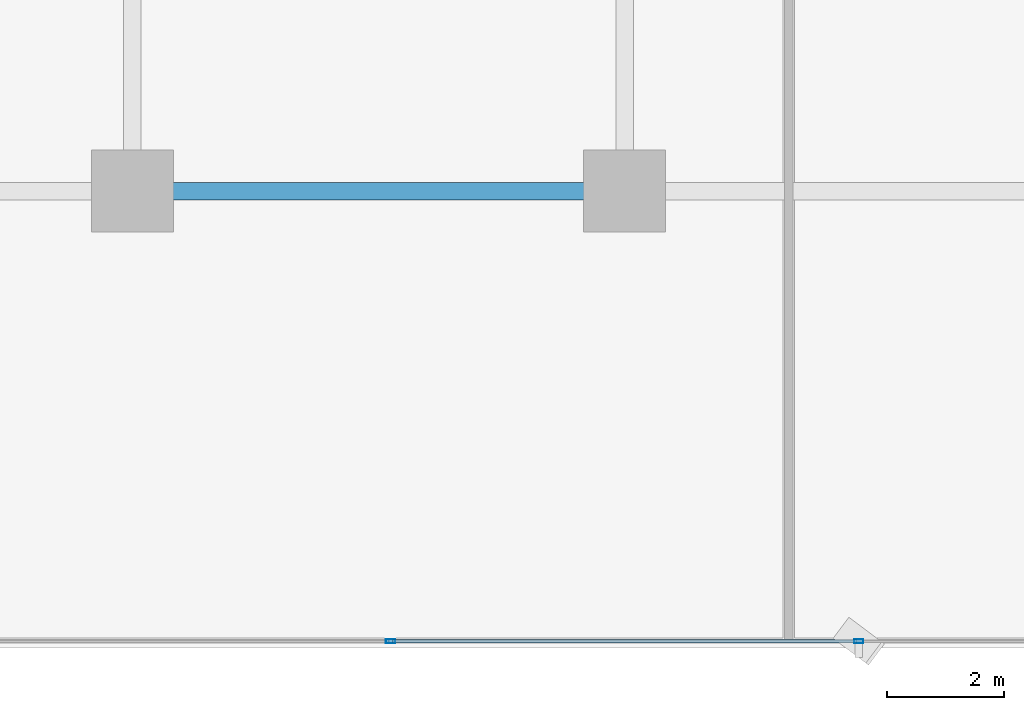
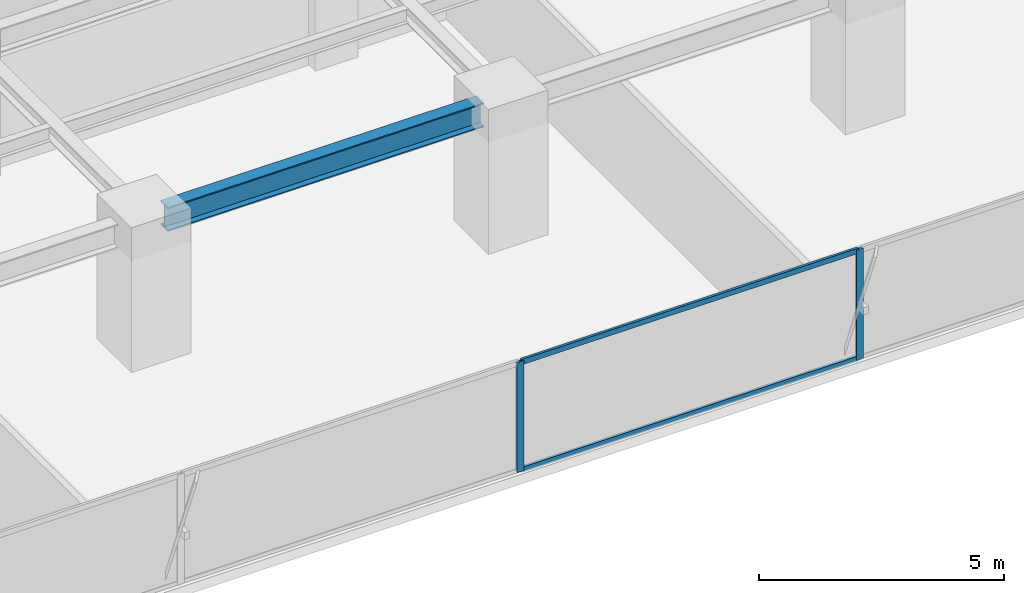
# One storey, part 6 of 34: 4 members, 1 beam, 1 element without a shape of its own.
"""IFC4 building model written with IfcOpenShell, lengths in metres."""

from ifc_helpers import new_model, si_unit, direction, frame, origin, origin_2d, place, context, subcontext, project, spatial, hollow_rectangle, i_section, extrude, source, transform, mapped, material, layer, layer_set, material_profile, profile_set, type_object, element, aggregate, save


model = new_model("IFC4")

# Units and contexts
model_context = context("Model", 3, precision=1e-05, world=origin(), true_north=direction((0.0, 1.0)))
body_context = subcontext(model_context, "Body", "Model", "MODEL_VIEW")
ifc_project = project(units=[si_unit("LENGTHUNIT", "METRE"), si_unit("AREAUNIT", "SQUARE_METRE"), si_unit("VOLUMEUNIT", "CUBIC_METRE"), si_unit("PLANEANGLEUNIT", "RADIAN"), si_unit("MASSUNIT", "GRAM", prefix="KILO")], contexts=[model_context])

# Site, building, storey
site_placement = place(None, origin())
site = spatial("IfcSite", under=ifc_project, at=site_placement, CompositionType="ELEMENT")
building_placement = place(site_placement, origin())
building = spatial("IfcBuilding", under=site, at=building_placement, Name="Sumidabori Civic Tower", CompositionType="ELEMENT")
storey_placement = place(building_placement, frame((0.0, 0.0, 99.199951171875)))
storey = spatial("IfcBuildingStorey", under=building, at=storey_placement, Name="L25", CompositionType="ELEMENT", Elevation=99.199951171875)

# Beam
ifc_material_1 = material(Name="Steel SN490", Category="steel")
ifc_material_profile_1 = material_profile(ifc_material_1, i_section(OverallWidth=0.300048828125, OverallDepth=0.60009765625, WebThickness=0.015380859375, FlangeThickness=0.030029296875, at=origin_2d()), Name="HE 600 B")
ifc_profile_set_1 = profile_set([ifc_material_profile_1], Name="Steel SN490")
beam_type = type_object("IfcBeamType", Name="BM-GIRD-600", PredefinedType="BEAM", material=ifc_profile_set_1)
shared_shape_1 = source(origin(), body_context, "Body", "SweptSolid", [
    extrude(i_section(OverallWidth=0.300048828125, OverallDepth=0.60009765625, WebThickness=0.015380859375, FlangeThickness=0.030029296875, at=origin_2d()), origin(), (0.0, 0.0, 1.0), 7.43994140625),
])
beam_placement = place(storey_placement, frame((-7.919921875, -18.0, 3.06005859375), z_axis=(1.0, 0.0, 0.0), x_axis=(0.0, 1.0, 0.0)))
element("IfcBeam", 1, at=beam_placement, inside=storey, type_object=beam_type, Name="Primary Girder L25 GX-03", PredefinedType="BEAM", context=body_context, shape_type="MappedRepresentation", body=[
    mapped(shared_shape_1, transform((0.0, 0.0, 0.0), x_axis=(1.0, 0.0, 0.0), y_axis=(0.0, 1.0, 0.0), z_axis=(0.0, 0.0, 1.0), scale=1.0)),
])

# Curtain wall, members
ifc_material_2 = material(Name="Anodised Bronze Aluminium AW-6063-T6", Category="aluminium")
ifc_layer = layer(ifc_material_2, 0.179931640625, Name="Anodised Bronze Aluminium AW-6063-T6")
ifc_layer_set = layer_set([ifc_layer], Name="Anodised Bronze Aluminium AW-6063-T6")
curtain_wall_type = type_object("IfcCurtainWallType", Name="CW-SYS-3", PredefinedType="NOTDEFINED", material=ifc_layer_set)
curtain_wall_placement = place(storey_placement, origin())
curtain_wall = element("IfcCurtainWall", 2, at=curtain_wall_placement, inside=storey, type_object=curtain_wall_type, Name="Curtain Wall CW:L25:R01", PredefinedType="NOTDEFINED")
ifc_material_profile_2 = material_profile(ifc_material_2, hollow_rectangle(XDim=0.06494140625, YDim=0.159912109375, WallThickness=0.0048828125, at=origin_2d()), Name="ALU MULLION 160x65")
ifc_profile_set_2 = profile_set([ifc_material_profile_2], Name="Anodised Bronze Aluminium AW-6063-T6")
member_type_1 = type_object("IfcMemberType", Name="CW-MUL-160", PredefinedType="MULLION", material=ifc_profile_set_2)
shared_shape_2 = source(origin(), body_context, "Body", "SweptSolid", [
    extrude(hollow_rectangle(XDim=0.06494140625, YDim=0.159912109375, WallThickness=0.0048828125, at=origin_2d()), origin(), (0.0, 0.0, 1.0), 2.739990234375),
])
member_1_placement = place(storey_placement, frame((-3.993896484375, -25.679931640625, 0.0), z_axis=(0.0, 0.0, 1.0), x_axis=(0.0, 1.0, 0.0)))
member_1 = element("IfcMember", 3, at=member_1_placement, type_object=member_type_1, Name="CW-3 mullion 3", PredefinedType="MULLION", context=body_context, shape_type="MappedRepresentation", body=[
    mapped(shared_shape_2, transform((0.0, 0.0, 0.0), x_axis=(1.0, 0.0, 0.0), y_axis=(0.0, 1.0, 0.0), z_axis=(0.0, 0.0, 1.0), scale=1.0)),
])
member_2_placement = place(storey_placement, frame((3.993896484375, -25.679931640625, 0.0), z_axis=(0.0, 0.0, 1.0), x_axis=(0.0, 1.0, 0.0)))
member_2 = element("IfcMember", 4, at=member_2_placement, type_object=member_type_1, Name="CW-3 mullion 4", PredefinedType="MULLION", context=body_context, shape_type="MappedRepresentation", body=[
    mapped(shared_shape_2, transform((0.0, 0.0, 0.0), x_axis=(1.0, 0.0, 0.0), y_axis=(0.0, 1.0, 0.0), z_axis=(0.0, 0.0, 1.0), scale=1.0)),
])
ifc_material_profile_3 = material_profile(ifc_material_2, hollow_rectangle(XDim=0.06005859375, YDim=0.1298828125, WallThickness=0.0048828125, at=origin_2d()), Name="ALU TRANSOM 130x60")
ifc_profile_set_3 = profile_set([ifc_material_profile_3], Name="Anodised Bronze Aluminium AW-6063-T6")
member_type_2 = type_object("IfcMemberType", Name="CW-TRN-130", PredefinedType="USERDEFINED", material=ifc_profile_set_3)
shared_shape_3 = source(origin(), body_context, "Body", "SweptSolid", [
    extrude(hollow_rectangle(XDim=0.06005859375, YDim=0.1298828125, WallThickness=0.0048828125, at=origin_2d()), origin(), (0.0, 0.0, 1.0), 7.9228515625),
])
member_3_placement = place(storey_placement, frame((-3.96142578125, -25.679931640625, 0.030029296875), z_axis=(1.0, 0.0, 0.0), x_axis=(0.0, 1.0, 0.0)))
member_3 = element("IfcMember", 5, at=member_3_placement, type_object=member_type_2, Name="CW-3 transom 3.1", ObjectType="TRANSOM", PredefinedType="USERDEFINED", context=body_context, shape_type="MappedRepresentation", body=[
    mapped(shared_shape_3, transform((0.0, 0.0, 0.0), x_axis=(1.0, 0.0, 0.0), y_axis=(0.0, 1.0, 0.0), z_axis=(0.0, 0.0, 1.0), scale=1.0)),
])
member_4_placement = place(storey_placement, frame((-3.96142578125, -25.679931640625, 2.7099609375), z_axis=(1.0, 0.0, 0.0), x_axis=(0.0, 1.0, 0.0)))
member_4 = element("IfcMember", 6, at=member_4_placement, type_object=member_type_2, Name="CW-3 transom 3.2", ObjectType="TRANSOM", PredefinedType="USERDEFINED", context=body_context, shape_type="MappedRepresentation", body=[
    mapped(shared_shape_3, transform((0.0, 0.0, 0.0), x_axis=(1.0, 0.0, 0.0), y_axis=(0.0, 1.0, 0.0), z_axis=(0.0, 0.0, 1.0), scale=1.0)),
])
aggregate(curtain_wall, [member_1, member_2, member_3, member_4])

save(model, "model.ifc")
